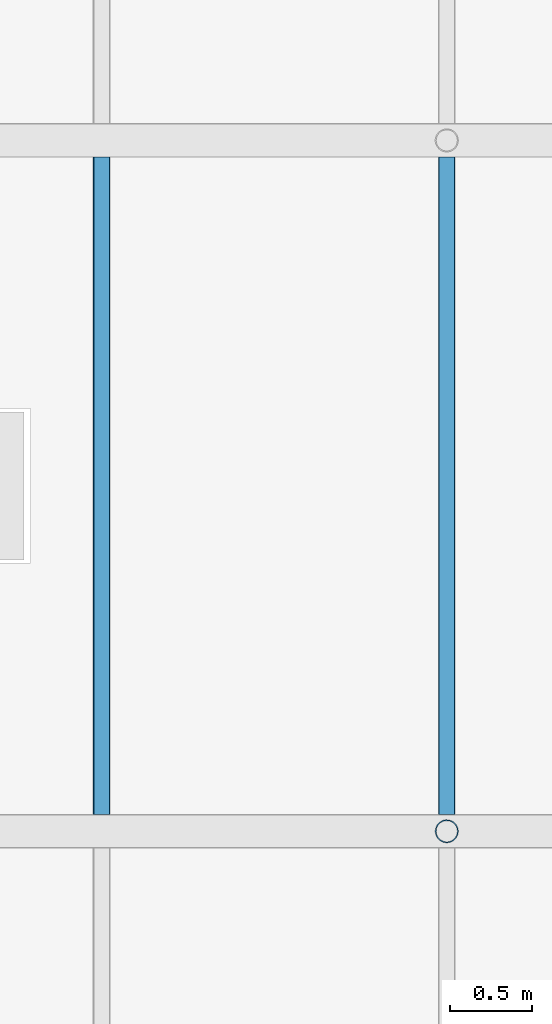
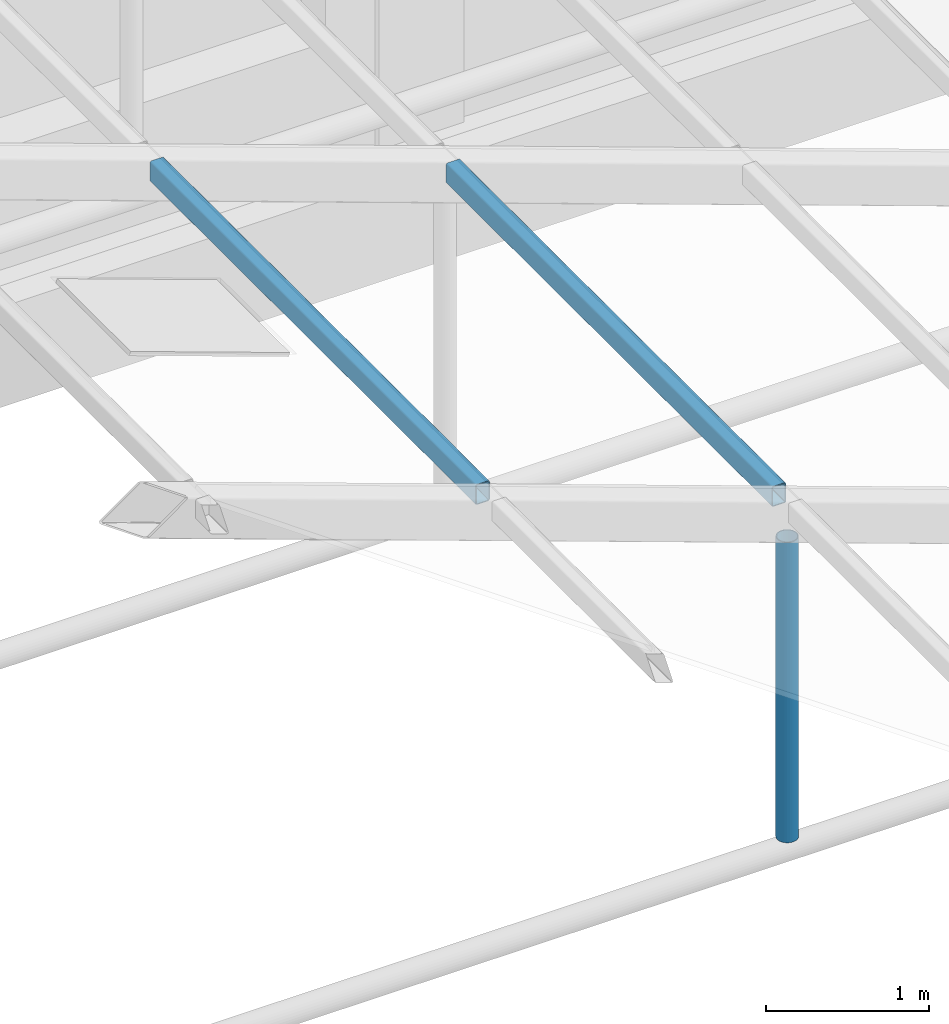
# One storey, part 69 of 116: 3 members.
"""IFC4 building model written with IfcOpenShell, lengths in metres."""

from ifc_helpers import new_model, si_unit, direction, frame, origin, origin_2d, place, context, subcontext, project, spatial, hollow_rectangle, hollow_circle, extrude, material, material_profile, profile_set, type_object, element, save


model = new_model("IFC4")

# Units and contexts
model_context = context("Model", 3, precision=1e-05, world=origin(), true_north=direction((0.0, 1.0)))
body_context = subcontext(model_context, "Body", "Model", "MODEL_VIEW")
ifc_project = project(units=[si_unit("LENGTHUNIT", "METRE"), si_unit("AREAUNIT", "SQUARE_METRE"), si_unit("VOLUMEUNIT", "CUBIC_METRE"), si_unit("PLANEANGLEUNIT", "RADIAN"), si_unit("MASSUNIT", "GRAM", prefix="KILO")], contexts=[model_context])

# Site, building, storey
site_placement = place(None, origin())
site = spatial("IfcSite", under=ifc_project, at=site_placement, CompositionType="ELEMENT")
building_placement = place(site_placement, origin())
building = spatial("IfcBuilding", under=site, at=building_placement, Name="Fescue Hill Polytechnic", CompositionType="ELEMENT")
storey_placement = place(building_placement, frame((0.0, 0.0, 13.5)))
storey = spatial("IfcBuildingStorey", under=building, at=storey_placement, Name="L03", CompositionType="ELEMENT", Elevation=13.5)

# Members
ifc_material = material(Name="Steel 350W (350 MPa)", Category="steel")
ifc_material_profile_1 = material_profile(ifc_material, hollow_rectangle(XDim=0.1015625, YDim=0.15234375, WallThickness=0.00634765625, InnerFilletRadius=0.00634765625, OuterFilletRadius=0.0126953125, at=origin_2d()), Name="Winter garden glazing purlin HSS 152x102x6.4")
ifc_profile_set_1 = profile_set([ifc_material_profile_1], Name="Steel 350W (350 MPa)")
member_type_1 = type_object("IfcMemberType", Name="Winter garden glazing purlin HSS 152x102x6.4", PredefinedType="PURLIN", material=ifc_profile_set_1)
for number, where, z_axis, x_axis, name in (
    (1, (111.30029296875, 100.901611328125, 2.914306640625), (0.0, 1.0, 0.0), (-1.0, 0.0, 0.0), "Winter garden glazing purlin E3 bay 13"),
    (2, (109.200439453125, 100.901611328125, 3.664306640625), (0.0, 1.0, 0.0), (-1.0, 0.0, 0.0), "Winter garden glazing purlin E4 bay 13"),
):
    element("IfcMember", number, at=place(storey_placement, frame(where, z_axis=z_axis, x_axis=x_axis)), inside=storey, type_object=member_type_1, Name=name, PredefinedType="PURLIN", context=body_context, shape_type="SweptSolid", body=[
        extrude(hollow_rectangle(XDim=0.1015625, YDim=0.15234375, WallThickness=0.00634765625, InnerFilletRadius=0.00634765625, OuterFilletRadius=0.0126953125, at=origin_2d()), origin(), (0.0, 0.0, 1.0), 3.996826171875),
    ])
ifc_material_profile_2 = material_profile(ifc_material, hollow_circle(Radius=0.070556640625, WallThickness=0.00634765625, at=origin_2d()), Name="Winter garden queen post CHS 141x6.4")
ifc_profile_set_2 = profile_set([ifc_material_profile_2], Name="Steel 350W (350 MPa)")
member_type_2 = type_object("IfcMemberType", Name="Winter garden queen post CHS 141x6.4", PredefinedType="POST", material=ifc_profile_set_2)
member_placement = place(storey_placement, frame((111.300048828125, 100.800048828125, 0.4169921875), z_axis=(0.0, 0.0, 1.0), x_axis=(1.0, 0.0, 0.0)))
element("IfcMember", 3, at=member_placement, inside=storey, type_object=member_type_2, Name="Winter garden queen post 13B", PredefinedType="POST", context=body_context, shape_type="SweptSolid", body=[
    extrude(hollow_circle(Radius=0.070556640625, WallThickness=0.00634765625, at=origin_2d()), origin(), (0.0, 0.0, 1.0), 2.25),
])

save(model, "model.ifc")
